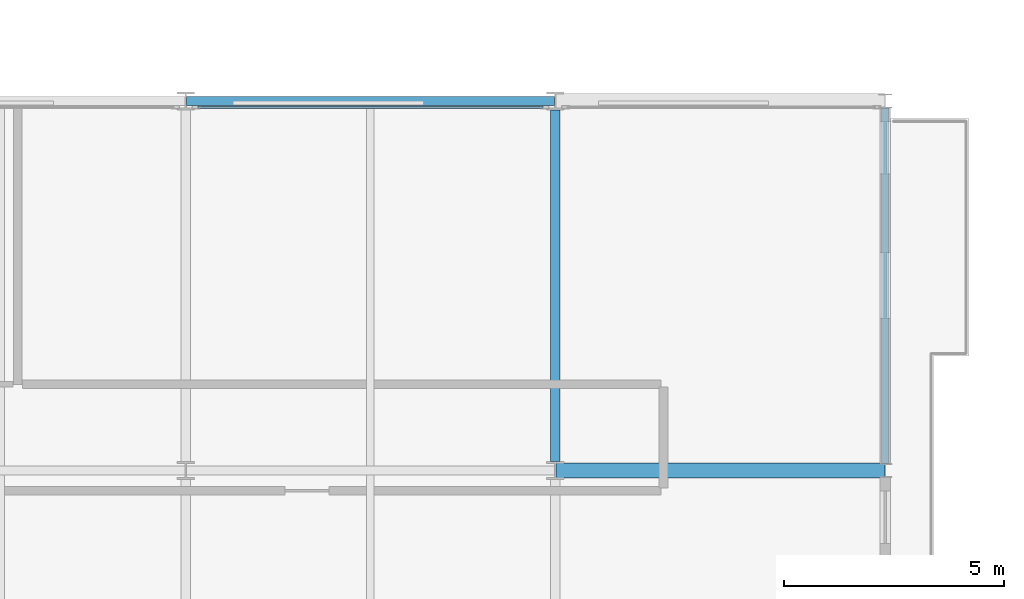
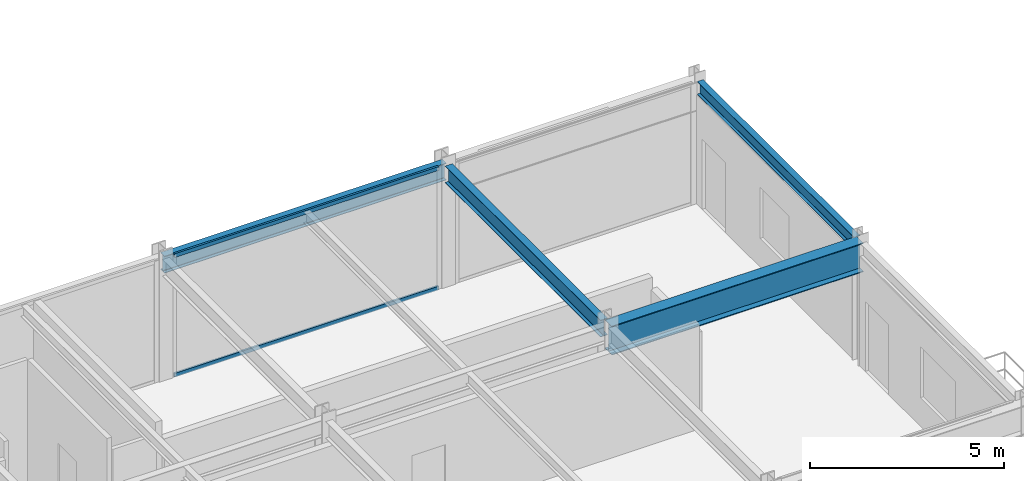
# One storey, part 21 of 38: 4 beams, 2 members, 1 element without a shape of its own.
"""IFC4 building model written with IfcOpenShell, lengths in metres."""

from ifc_helpers import new_model, si_unit, direction, frame, origin, origin_2d, place, context, subcontext, project, spatial, hollow_rectangle, i_section, extrude, material, layer, layer_set, material_profile, profile_set, type_object, element, aggregate, save


model = new_model("IFC4")

# Units and contexts
model_context = context("Model", 3, precision=1e-05, world=origin(), true_north=direction((0.0, 1.0)))
body_context = subcontext(model_context, "Body", "Model", "MODEL_VIEW")
ifc_project = project(units=[si_unit("LENGTHUNIT", "METRE"), si_unit("AREAUNIT", "SQUARE_METRE"), si_unit("VOLUMEUNIT", "CUBIC_METRE"), si_unit("PLANEANGLEUNIT", "RADIAN"), si_unit("MASSUNIT", "GRAM", prefix="KILO")], contexts=[model_context])

# Site, building, storey
site_placement = place(None, origin())
site = spatial("IfcSite", under=ifc_project, at=site_placement, CompositionType="ELEMENT")
building_placement = place(site_placement, origin())
building = spatial("IfcBuilding", under=site, at=building_placement, Name="Nerrivon Quay Data Exchange", CompositionType="ELEMENT")
storey_placement = place(building_placement, frame((0.0, 0.0, 88.5)))
storey = spatial("IfcBuildingStorey", under=building, at=storey_placement, Name="L20", CompositionType="ELEMENT", Elevation=88.5)

# Beams
ifc_material_1 = material(Name="Steel Grade 350", Category="steel")
ifc_material_profile_1 = material_profile(ifc_material_1, i_section(OverallWidth=0.35009765625, OverallDepth=0.909912109375, WebThickness=0.011962890625, FlangeThickness=0.02490234375, at=origin_2d()), Name="900WB218")
ifc_profile_set_1 = profile_set([ifc_material_profile_1], Name="Steel Grade 350")
beam_type_1 = type_object("IfcBeamType", Name="BM-CANT-900WB", PredefinedType="USERDEFINED", material=ifc_profile_set_1)
beam_1_placement = place(storey_placement, frame((50.41259765625, 16.800048828125, 3.3701171875), z_axis=(1.0, 0.0, 0.0), x_axis=(0.0, 1.0, 0.0)))
element("IfcBeam", 1, at=beam_1_placement, inside=storey, type_object=beam_type_1, Name="L20 East Hooked Cantilever Girder Y=16.8", ObjectType="TRANSFER", PredefinedType="USERDEFINED", context=body_context, shape_type="SweptSolid", body=[
    extrude(i_section(OverallWidth=0.35009765625, OverallDepth=0.909912109375, WebThickness=0.011962890625, FlangeThickness=0.02490234375, at=origin_2d()), origin(), (0.0, 0.0, 1.0), 7.4794921875),
])
ifc_material_profile_2 = material_profile(ifc_material_1, i_section(OverallWidth=0.208984375, OverallDepth=0.532958984375, WebThickness=0.01025390625, FlangeThickness=0.015625, FilletRadius=0.013916015625, at=origin_2d()), Name="530UB92.4")
ifc_profile_set_2 = profile_set([ifc_material_profile_2], Name="Steel Grade 350")
beam_type_2 = type_object("IfcBeamType", Name="BM-G3-530UB92", PredefinedType="BEAM", material=ifc_profile_set_2)
beam_2_placement = place(storey_placement, frame((42.012451171875, 25.199951171875, 3.55859375), z_axis=(1.0, 0.0, 0.0), x_axis=(0.0, 1.0, 0.0)))
element("IfcBeam", 2, at=beam_2_placement, inside=storey, type_object=beam_type_2, Name="L20 EW Girder Y=25.2 (42.0..50.4)", PredefinedType="BEAM", context=body_context, shape_type="SweptSolid", body=[
    extrude(i_section(OverallWidth=0.208984375, OverallDepth=0.532958984375, WebThickness=0.01025390625, FlangeThickness=0.015625, FilletRadius=0.013916015625, at=origin_2d()), origin(), (0.0, 0.0, 1.0), 8.375),
])
ifc_material_profile_3 = material_profile(ifc_material_1, i_section(OverallWidth=0.208984375, OverallDepth=0.528076171875, WebThickness=0.009521484375, FlangeThickness=0.01318359375, FilletRadius=0.013916015625, at=origin_2d()), Name="530UB82.0")
ifc_profile_set_3 = profile_set([ifc_material_profile_3], Name="Steel Grade 350")
beam_type_3 = type_object("IfcBeamType", Name="BM-G4-530UB82", PredefinedType="BEAM", material=ifc_profile_set_3)
beam_3_placement = place(storey_placement, frame((50.39990234375, 17.0, 3.56103515625), z_axis=(0.0, 1.0, 0.0), x_axis=(-1.0, 0.0, 0.0)))
element("IfcBeam", 3, at=beam_3_placement, inside=storey, type_object=beam_type_3, Name="L20 NS Girder X=50.4 (16.8..25.2)", PredefinedType="BEAM", context=body_context, shape_type="SweptSolid", body=[
    extrude(i_section(OverallWidth=0.208984375, OverallDepth=0.528076171875, WebThickness=0.009521484375, FlangeThickness=0.01318359375, FilletRadius=0.013916015625, at=origin_2d()), origin(), (0.0, 0.0, 1.0), 8.0),
])
ifc_material_profile_4 = material_profile(ifc_material_1, i_section(OverallWidth=0.177978515625, OverallDepth=0.403076171875, WebThickness=0.007568359375, FlangeThickness=0.010986328125, FilletRadius=0.011474609375, at=origin_2d()), Name="410UB53.7")
ifc_profile_set_4 = profile_set([ifc_material_profile_4], Name="Steel Grade 350")
beam_type_4 = type_object("IfcBeamType", Name="BM-SP2-410UB54", PredefinedType="SPANDREL", material=ifc_profile_set_4)
beam_4_placement = place(storey_placement, frame((57.89990234375, 16.96337890625, 3.62353515625), z_axis=(0.0, 1.0, 0.0), x_axis=(-1.0, 0.0, 0.0)))
element("IfcBeam", 4, at=beam_4_placement, inside=storey, type_object=beam_type_4, Name="L20 East Hooked Edge Spandrel", PredefinedType="SPANDREL", context=body_context, shape_type="SweptSolid", body=[
    extrude(i_section(OverallWidth=0.177978515625, OverallDepth=0.403076171875, WebThickness=0.007568359375, FlangeThickness=0.010986328125, FilletRadius=0.011474609375, at=origin_2d()), origin(), (0.0, 0.0, 1.0), 8.0732421875),
])

# Curtain wall, members
ifc_material_2 = material(Name="Anodised aluminium 6063-T6", Category="aluminium")
ifc_layer = layer(ifc_material_2, 0.2099609375)
ifc_layer_set = layer_set([ifc_layer], Name="Anodised aluminium 6063-T6")
curtain_wall_type = type_object("IfcCurtainWallType", Name="CW-SYS-02", PredefinedType="NOTDEFINED", material=ifc_layer_set)
curtain_wall_placement = place(storey_placement, origin())
curtain_wall = element("IfcCurtainWall", 5, at=curtain_wall_placement, inside=storey, type_object=curtain_wall_type, Name="L20 Unitised Curtain Wall 34", PredefinedType="NOTDEFINED")
ifc_material_profile_5 = material_profile(ifc_material_2, hollow_rectangle(XDim=0.06005859375, YDim=0.1201171875, WallThickness=0.003173828125, at=origin_2d()), Name="ALU-TRAN-120x60")
ifc_profile_set_5 = profile_set([ifc_material_profile_5], Name="Anodised aluminium 6063-T6")
member_type = type_object("IfcMemberType", Name="CWT-120x60", PredefinedType="USERDEFINED", material=ifc_profile_set_5)
member_1_placement = place(storey_placement, frame((42.27490234375, 25.06005859375, 0.032470703125), z_axis=(1.0, 0.0, 0.0), x_axis=(0.0, 1.0, 0.0)))
member_1 = element("IfcMember", 6, at=member_1_placement, type_object=member_type, Name="CW02 transom 1.1", ObjectType="TRANSOM", PredefinedType="USERDEFINED", context=body_context, shape_type="SweptSolid", body=[
    extrude(hollow_rectangle(XDim=0.06005859375, YDim=0.1201171875, WallThickness=0.003173828125, at=origin_2d()), origin(), (0.0, 0.0, 1.0), 7.85009765625),
])
member_2_placement = place(storey_placement, frame((42.27490234375, 25.06005859375, 3.79248046875), z_axis=(1.0, 0.0, 0.0), x_axis=(0.0, 1.0, 0.0)))
member_2 = element("IfcMember", 7, at=member_2_placement, type_object=member_type, Name="CW02 transom 1.2", ObjectType="TRANSOM", PredefinedType="USERDEFINED", context=body_context, shape_type="SweptSolid", body=[
    extrude(hollow_rectangle(XDim=0.06005859375, YDim=0.1201171875, WallThickness=0.003173828125, at=origin_2d()), origin(), (0.0, 0.0, 1.0), 7.85009765625),
])
aggregate(curtain_wall, [member_1, member_2])

save(model, "model.ifc")
